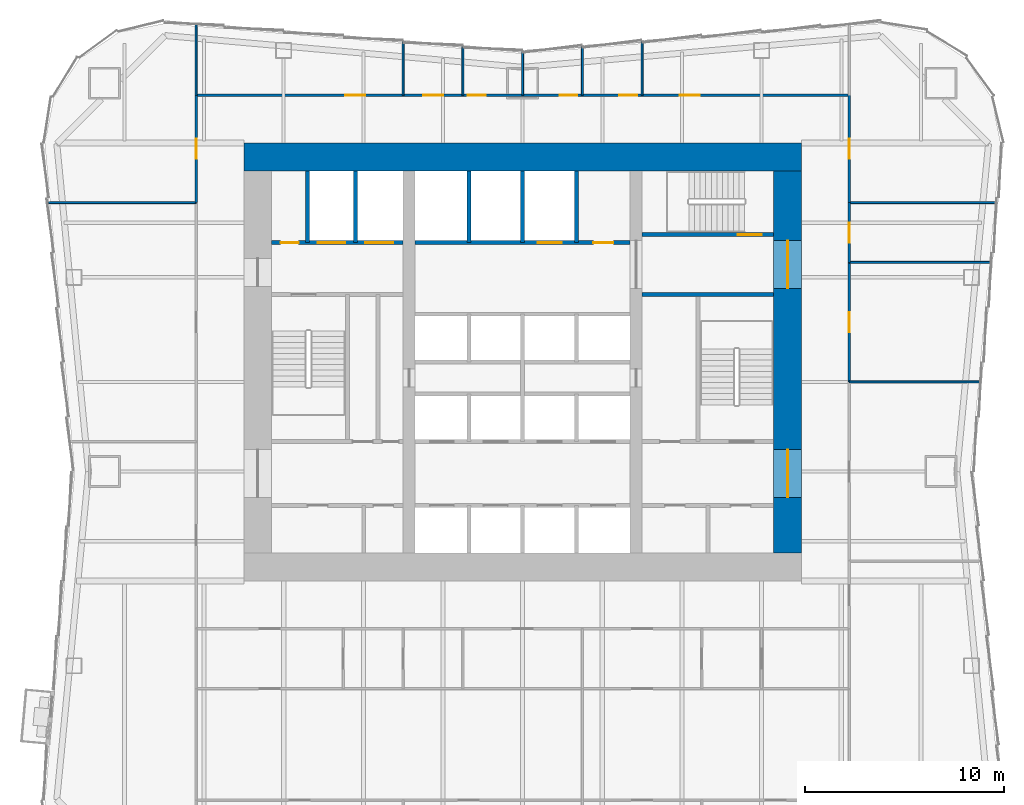
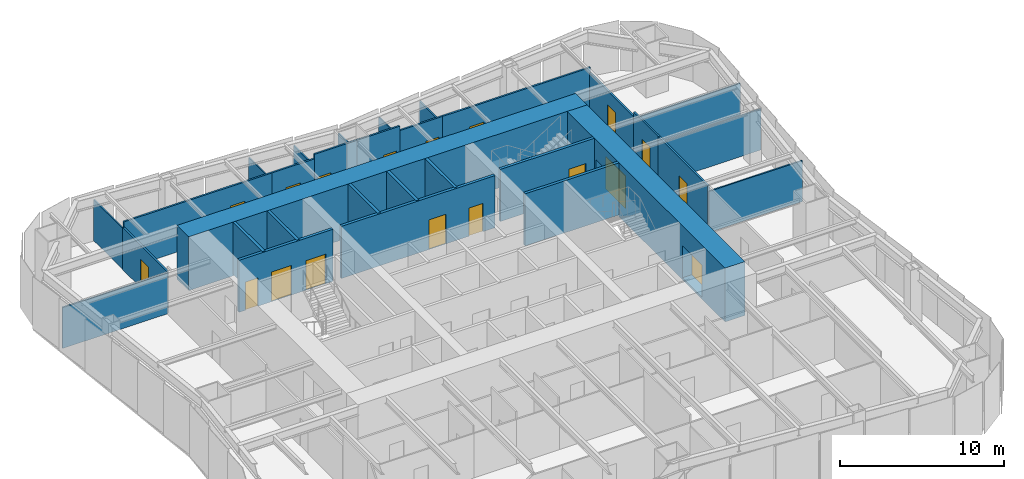
# One storey, part 6 of 9: 31 walls, 18 doors, 18 openings.
"""IFC4 building model written with IfcOpenShell, lengths in metres."""

from ifc_helpers import new_model, si_unit, direction, frame, frame_2d, origin, place, context, subcontext, project, spatial, rectangle, extrude, material, layer, layer_set, type_object, element, fill, save


model = new_model("IFC4")

# Units and contexts
model_context = context("Model", 3, precision=1e-05, world=origin(), true_north=direction((0.0, 1.0)))
body_context = subcontext(model_context, "Body", "Model", "MODEL_VIEW")
ifc_project = project(units=[si_unit("LENGTHUNIT", "METRE"), si_unit("AREAUNIT", "SQUARE_METRE"), si_unit("VOLUMEUNIT", "CUBIC_METRE"), si_unit("PLANEANGLEUNIT", "RADIAN"), si_unit("MASSUNIT", "GRAM", prefix="KILO")], contexts=[model_context])

# Site, building, storey
site_placement = place(None, origin())
site = spatial("IfcSite", under=ifc_project, at=site_placement, CompositionType="ELEMENT")
building_placement = place(site_placement, origin())
building = spatial("IfcBuilding", under=site, at=building_placement, Name="Verdant Reach Tower", CompositionType="ELEMENT")
storey_placement = place(building_placement, frame((0.0, 0.0, 34.0)))
storey = spatial("IfcBuildingStorey", under=building, at=storey_placement, Name="L07", CompositionType="ELEMENT", Elevation=34.0)

# Wall, openings, doors
ifc_material_1 = material(Name="Concrete C40/50", Category="concrete")
ifc_layer_1 = layer(ifc_material_1, 0.199951171875)
ifc_layer_set_1 = layer_set([ifc_layer_1], Name="CO-WALL-SHAFT")
wall_type_1 = type_object("IfcWallType", Name="CO-WALL-SHAFT", PredefinedType="PARTITIONING", material=ifc_layer_set_1)
wall_1_placement = place(storey_placement, frame((-12.60009765625, 34.0, 0.0), z_axis=(0.0, 0.0, 1.0), x_axis=(1.0, 0.0, 0.0)))
wall_1 = element("IfcWall", 1, at=wall_1_placement, inside=storey, type_object=wall_type_1, Name="Lift shaft wall, L07", PredefinedType="PARTITIONING", context=body_context, shape_type="SweptSolid", body=[
    extrude(rectangle(XDim=6.60009765625, YDim=0.199951171875, at=frame_2d((3.300048828125, 0.0))), origin(), (0.0, 0.0, 1.0), 3.8701171875),
])
opening_1_placement = place(wall_1_placement, frame((4.699951171875, 0.0, 0.0)))
opening_1 = element("IfcOpeningElement", 2, at=opening_1_placement, cuts=wall_1, Name="Opening LD-F1", PredefinedType="OPENING", context=body_context, shape_type="SweptSolid", body=[
    extrude(rectangle(XDim=1.39990234375, YDim=2.199951171875, at=frame_2d((0.699951171875, 1.10009765625))), frame((0.0, 0.10986328125, 0.0), z_axis=(0.0, -1.0, 0.0), x_axis=(1.0, 0.0, 0.0)), (0.0, 0.0, 1.0), 0.219970703125),
])
opening_2_placement = place(wall_1_placement, frame((2.300048828125, 0.0, 0.0)))
opening_2 = element("IfcOpeningElement", 3, at=opening_2_placement, cuts=wall_1, Name="Opening LD-F2", PredefinedType="OPENING", context=body_context, shape_type="SweptSolid", body=[
    extrude(rectangle(XDim=1.39990234375, YDim=2.199951171875, at=frame_2d((0.699951171875, 1.10009765625))), frame((0.0, 0.10986328125, 0.0), z_axis=(0.0, -1.0, 0.0), x_axis=(1.0, 0.0, 0.0)), (0.0, 0.0, 1.0), 0.219970703125),
])
opening_3_placement = place(wall_1_placement, frame((0.449951171875, 0.0, 0.0)))
opening_3 = element("IfcOpeningElement", 4, at=opening_3_placement, cuts=wall_1, Name="Opening RD", PredefinedType="OPENING", context=body_context, shape_type="SweptSolid", body=[
    extrude(rectangle(XDim=0.89990234375, YDim=2.10009765625, at=frame_2d((0.449951171875, 1.050048828125))), frame((0.0, 0.10986328125, 0.0), z_axis=(0.0, -1.0, 0.0), x_axis=(1.0, 0.0, 0.0)), (0.0, 0.0, 1.0), 0.219970703125),
])
ifc_material_2 = material(Name="Stainless steel", Category="steel")
door_type_1 = type_object("IfcDoorType", Name="CO-DOOR-LANDING-FF", OperationType="SLIDING_TO_LEFT", PredefinedType="DOOR", material=ifc_material_2)
door_1_placement = place(opening_1_placement, origin())
door_1 = element("IfcDoor", 5, at=door_1_placement, inside=storey, type_object=door_type_1, Name="Landing door F1, L07", OperationType="SLIDING_TO_LEFT", OverallHeight=2.199951171875, OverallWidth=1.39990234375, PredefinedType="DOOR", context=body_context, shape_type="SweptSolid", body=[
    extrude(rectangle(XDim=1.39990234375, YDim=2.199951171875, at=frame_2d((0.699951171875, 1.10009765625))), frame((0.0, 0.02490234375, 0.0), z_axis=(0.0, -1.0, 0.0), x_axis=(1.0, 0.0, 0.0)), (0.0, 0.0, 1.0), 0.050048828125),
])
fill(opening_1, door_1)
door_2_placement = place(opening_2_placement, origin())
door_2 = element("IfcDoor", 6, at=door_2_placement, inside=storey, type_object=door_type_1, Name="Landing door F2, L07", OperationType="SLIDING_TO_LEFT", OverallHeight=2.199951171875, OverallWidth=1.39990234375, PredefinedType="DOOR", context=body_context, shape_type="SweptSolid", body=[
    extrude(rectangle(XDim=1.39990234375, YDim=2.199951171875, at=frame_2d((0.699951171875, 1.10009765625))), frame((0.0, 0.02490234375, 0.0), z_axis=(0.0, -1.0, 0.0), x_axis=(1.0, 0.0, 0.0)), (0.0, 0.0, 1.0), 0.050048828125),
])
fill(opening_2, door_2)
ifc_material_3 = material(Name="Steel", Category="steel")
door_type_2 = type_object("IfcDoorType", Name="CO-DOOR-RISER", OperationType="NOTDEFINED", PredefinedType="DOOR", material=ifc_material_3)
door_3_placement = place(opening_3_placement, origin())
door_3 = element("IfcDoor", 7, at=door_3_placement, inside=storey, type_object=door_type_2, Name="Core room door, L07", OperationType="SINGLE_SWING_RIGHT", OverallHeight=2.10009765625, OverallWidth=0.89990234375, PredefinedType="DOOR", context=body_context, shape_type="SweptSolid", body=[
    extrude(rectangle(XDim=0.89990234375, YDim=2.10009765625, at=frame_2d((0.449951171875, 1.050048828125))), frame((0.0, 0.02490234375, 0.0), z_axis=(0.0, -1.0, 0.0), x_axis=(1.0, 0.0, 0.0)), (0.0, 0.0, 1.0), 0.050048828125),
])
fill(opening_3, door_3)

wall_2_placement = place(storey_placement, frame((-5.39990234375, 34.0, 0.0), z_axis=(0.0, 0.0, 1.0), x_axis=(1.0, 0.0, 0.0)))
wall_2 = element("IfcWall", 8, at=wall_2_placement, inside=storey, type_object=wall_type_1, Name="Lift shaft wall, L07", PredefinedType="PARTITIONING", context=body_context, shape_type="SweptSolid", body=[
    extrude(rectangle(XDim=10.7998046875, YDim=0.199951171875, at=frame_2d((5.39990234375, 0.0))), origin(), (0.0, 0.0, 1.0), 3.8701171875),
])
opening_4_placement = place(wall_2_placement, frame((6.14990234375, 0.0, 0.0)))
opening_4 = element("IfcOpeningElement", 9, at=opening_4_placement, cuts=wall_2, Name="Opening LD-SL1", PredefinedType="OPENING", context=body_context, shape_type="SweptSolid", body=[
    extrude(rectangle(XDim=1.199951171875, YDim=2.199951171875, at=frame_2d((0.60009765625, 1.10009765625))), frame((0.0, 0.10986328125, 0.0), z_axis=(0.0, -1.0, 0.0), x_axis=(1.0, 0.0, 0.0)), (0.0, 0.0, 1.0), 0.219970703125),
])
opening_5_placement = place(wall_2_placement, frame((8.949951171875, 0.0, 0.0)))
opening_5 = element("IfcOpeningElement", 10, at=opening_5_placement, cuts=wall_2, Name="Opening CD", PredefinedType="OPENING", context=body_context, shape_type="SweptSolid", body=[
    extrude(rectangle(XDim=1.0, YDim=2.10009765625, at=frame_2d((0.5, 1.050048828125))), frame((0.0, 0.10986328125, 0.0), z_axis=(0.0, -1.0, 0.0), x_axis=(1.0, 0.0, 0.0)), (0.0, 0.0, 1.0), 0.219970703125),
])
door_type_3 = type_object("IfcDoorType", Name="CO-DOOR-LANDING", OperationType="SLIDING_TO_LEFT", PredefinedType="DOOR", material=ifc_material_2)
door_4_placement = place(opening_4_placement, origin())
door_4 = element("IfcDoor", 11, at=door_4_placement, inside=storey, type_object=door_type_3, Name="Landing door SL1, L07", OperationType="SLIDING_TO_LEFT", OverallHeight=2.199951171875, OverallWidth=1.199951171875, PredefinedType="DOOR", context=body_context, shape_type="SweptSolid", body=[
    extrude(rectangle(XDim=1.199951171875, YDim=2.199951171875, at=frame_2d((0.60009765625, 1.10009765625))), frame((0.0, 0.02490234375, 0.0), z_axis=(0.0, -1.0, 0.0), x_axis=(1.0, 0.0, 0.0)), (0.0, 0.0, 1.0), 0.050048828125),
])
fill(opening_4, door_4)
ifc_material_4 = material(Name="Timber", Category="wood")
door_type_4 = type_object("IfcDoorType", Name="CO-DOOR-ROOM", OperationType="NOTDEFINED", PredefinedType="DOOR", material=ifc_material_4)
door_5_placement = place(opening_5_placement, origin())
door_5 = element("IfcDoor", 12, at=door_5_placement, inside=storey, type_object=door_type_4, Name="Core room door, L07", OperationType="SINGLE_SWING_LEFT", OverallHeight=2.10009765625, OverallWidth=1.0, PredefinedType="DOOR", context=body_context, shape_type="SweptSolid", body=[
    extrude(rectangle(XDim=1.0, YDim=2.10009765625, at=frame_2d((0.5, 1.050048828125))), frame((0.0, 0.02490234375, 0.0), z_axis=(0.0, -1.0, 0.0), x_axis=(1.0, 0.0, 0.0)), (0.0, 0.0, 1.0), 0.050048828125),
])
fill(opening_5, door_5)

# Walls
for number, where, z_axis, x_axis, name in (
    (13, (-10.800048828125, 34.0, 0.0), (0.0, 0.0, 1.0), (0.0, 1.0, 0.0), "Lift shaft wall, L07"),
    (14, (-8.39990234375, 34.0, 0.0), (0.0, 0.0, 1.0), (0.0, 1.0, 0.0), "Lift shaft wall, L07"),
    (15, (-2.699951171875, 34.0, 0.0), (0.0, 0.0, 1.0), (0.0, 1.0, 0.0), "Lift shaft wall, L07"),
    (16, (0.0, 34.0, 0.0), (0.0, 0.0, 1.0), (0.0, 1.0, 0.0), "Lift shaft wall, L07"),
    (17, (2.699951171875, 34.0, 0.0), (0.0, 0.0, 1.0), (0.0, 1.0, 0.0), "Lift shaft wall, L07"),
):
    element("IfcWall", number, at=place(storey_placement, frame(where, z_axis=z_axis, x_axis=x_axis)), inside=storey, type_object=wall_type_1, Name=name, PredefinedType="PARTITIONING", context=body_context, shape_type="SweptSolid", body=[
        extrude(rectangle(XDim=3.60009765625, YDim=0.199951171875, at=frame_2d((1.800048828125, 0.0))), origin(), (0.0, 0.0, 1.0), 3.8701171875),
    ])
ifc_layer_2 = layer(ifc_material_1, 0.199951171875)
ifc_layer_set_2 = layer_set([ifc_layer_2], Name="CO-WALL-STAIR")
wall_type_2 = type_object("IfcWallType", Name="CO-WALL-STAIR", PredefinedType="PARTITIONING", material=ifc_layer_set_2)
wall_3_placement = place(storey_placement, frame((6.0, 31.39990234375, 0.0), z_axis=(0.0, 0.0, 1.0), x_axis=(1.0, 0.0, 0.0)))
element("IfcWall", 18, at=wall_3_placement, inside=storey, type_object=wall_type_2, Name="Stair enclosure wall, L07", PredefinedType="PARTITIONING", context=body_context, shape_type="SweptSolid", body=[
    extrude(rectangle(XDim=6.60009765625, YDim=0.199951171875, at=frame_2d((3.300048828125, 0.0))), origin(), (0.0, 0.0, 1.0), 3.8701171875),
])

# Wall, opening, door
wall_4_placement = place(storey_placement, frame((6.0, 34.39990234375, 0.0), z_axis=(0.0, 0.0, 1.0), x_axis=(1.0, 0.0, 0.0)))
wall_4 = element("IfcWall", 19, at=wall_4_placement, inside=storey, type_object=wall_type_2, Name="Stair enclosure wall, L07", PredefinedType="PARTITIONING", context=body_context, shape_type="SweptSolid", body=[
    extrude(rectangle(XDim=6.60009765625, YDim=0.199951171875, at=frame_2d((3.300048828125, 0.0))), origin(), (0.0, 0.0, 1.0), 3.8701171875),
])
opening_6_placement = place(wall_4_placement, frame((4.800048828125, 0.0, 0.0)))
opening_6 = element("IfcOpeningElement", 20, at=opening_6_placement, cuts=wall_4, Name="Opening SD", PredefinedType="OPENING", context=body_context, shape_type="SweptSolid", body=[
    extrude(rectangle(XDim=1.199951171875, YDim=2.199951171875, at=frame_2d((0.60009765625, 1.10009765625))), frame((0.0, 0.10986328125, 0.0), z_axis=(0.0, -1.0, 0.0), x_axis=(1.0, 0.0, 0.0)), (0.0, 0.0, 1.0), 0.219970703125),
])
door_type_5 = type_object("IfcDoorType", Name="CO-DOOR-STAIR", OperationType="NOTDEFINED", PredefinedType="DOOR", material=ifc_material_3)
door_6_placement = place(opening_6_placement, origin())
door_6 = element("IfcDoor", 21, at=door_6_placement, inside=storey, type_object=door_type_5, Name="Stair door, L07", OperationType="SINGLE_SWING_RIGHT", OverallHeight=2.199951171875, OverallWidth=1.199951171875, PredefinedType="DOOR", context=body_context, shape_type="SweptSolid", body=[
    extrude(rectangle(XDim=1.199951171875, YDim=2.199951171875, at=frame_2d((0.60009765625, 1.10009765625))), frame((0.0, 0.02490234375, 0.0), z_axis=(0.0, -1.0, 0.0), x_axis=(1.0, 0.0, 0.0)), (0.0, 0.0, 1.0), 0.050048828125),
])
fill(opening_6, door_6)

# Walls
ifc_material_5 = material(Name="Gypsum board on steel studs", Category="steel")
ifc_layer_3 = layer(ifc_material_5, 0.10009765625)
ifc_layer_set_3 = layer_set([ifc_layer_3], Name="FL-W1 Partition 100")
wall_type_3 = type_object("IfcWallType", Name="FL-W1 Partition 100", PredefinedType="PARTITIONING", material=ifc_layer_set_3)
wall_5_placement = place(storey_placement, frame((-6.0, 41.39990234375, 0.0), z_axis=(0.0, 0.0, 1.0), x_axis=(0.0, 1.0, 0.0)))
element("IfcWall", 22, at=wall_5_placement, inside=storey, type_object=wall_type_3, Name="Partition 07.49", PredefinedType="PARTITIONING", context=body_context, shape_type="SweptSolid", body=[
    extrude(rectangle(XDim=2.68017578125, YDim=0.10009765625, at=frame_2d((1.340087890625, 0.0))), origin(), (0.0, 0.0, 1.0), 3.0400390625),
])
wall_6_placement = place(storey_placement, frame((-16.39990234375, 44.94677734375, 0.0), z_axis=(0.0, 0.0, 1.0), x_axis=(0.0, -1.0, 0.0)))
element("IfcWall", 23, at=wall_6_placement, inside=storey, type_object=wall_type_3, Name="Partition 07.50", PredefinedType="PARTITIONING", context=body_context, shape_type="SweptSolid", body=[
    extrude(rectangle(XDim=3.55078125, YDim=0.10009765625, at=frame_2d((1.775390625, 0.0))), origin(), (0.0, 0.0, 1.0), 3.0400390625),
])
wall_7_placement = place(storey_placement, frame((-3.0, 41.39990234375, 0.0), z_axis=(0.0, 0.0, 1.0), x_axis=(0.0, 1.0, 0.0)))
element("IfcWall", 24, at=wall_7_placement, inside=storey, type_object=wall_type_3, Name="Partition 07.51", PredefinedType="PARTITIONING", context=body_context, shape_type="SweptSolid", body=[
    extrude(rectangle(XDim=2.43017578125, YDim=0.10009765625, at=frame_2d((1.215087890625, 0.0))), origin(), (0.0, 0.0, 1.0), 3.0400390625),
])
wall_8_placement = place(storey_placement, frame((0.0, 41.39990234375, 0.0), z_axis=(0.0, 0.0, 1.0), x_axis=(0.0, 1.0, 0.0)))
element("IfcWall", 25, at=wall_8_placement, inside=storey, type_object=wall_type_3, Name="Partition 07.52", PredefinedType="PARTITIONING", context=body_context, shape_type="SweptSolid", body=[
    extrude(rectangle(XDim=2.18017578125, YDim=0.10009765625, at=frame_2d((1.090087890625, 0.0))), origin(), (0.0, 0.0, 1.0), 3.0400390625),
])
wall_9_placement = place(storey_placement, frame((3.0, 41.39990234375, 0.0), z_axis=(0.0, 0.0, 1.0), x_axis=(0.0, 1.0, 0.0)))
element("IfcWall", 26, at=wall_9_placement, inside=storey, type_object=wall_type_3, Name="Partition 07.53", PredefinedType="PARTITIONING", context=body_context, shape_type="SweptSolid", body=[
    extrude(rectangle(XDim=2.43017578125, YDim=0.10009765625, at=frame_2d((1.215087890625, 0.0))), origin(), (0.0, 0.0, 1.0), 3.0400390625),
])
wall_10_placement = place(storey_placement, frame((6.0, 41.39990234375, 0.0), z_axis=(0.0, 0.0, 1.0), x_axis=(0.0, 1.0, 0.0)))
element("IfcWall", 27, at=wall_10_placement, inside=storey, type_object=wall_type_3, Name="Partition 07.54", PredefinedType="PARTITIONING", context=body_context, shape_type="SweptSolid", body=[
    extrude(rectangle(XDim=2.68017578125, YDim=0.10009765625, at=frame_2d((1.340087890625, 0.0))), origin(), (0.0, 0.0, 1.0), 3.0400390625),
])
wall_11_placement = place(storey_placement, frame((-16.39990234375, 36.0, 0.0), z_axis=(0.0, 0.0, 1.0), x_axis=(-1.0, 0.0, 0.0)))
element("IfcWall", 28, at=wall_11_placement, inside=storey, type_object=wall_type_3, Name="Partition 07.57", PredefinedType="PARTITIONING", context=body_context, shape_type="SweptSolid", body=[
    extrude(rectangle(XDim=7.407470703125, YDim=0.10009765625, at=frame_2d((3.70361328125, 0.0))), origin(), (0.0, 0.0, 1.0), 3.0400390625),
])
wall_12_placement = place(storey_placement, frame((22.989013671875, 27.0, 0.0), z_axis=(0.0, 0.0, 1.0), x_axis=(-1.0, 0.0, 0.0)))
element("IfcWall", 29, at=wall_12_placement, inside=storey, type_object=wall_type_3, Name="Partition 07.59", PredefinedType="PARTITIONING", context=body_context, shape_type="SweptSolid", body=[
    extrude(rectangle(XDim=6.589111328125, YDim=0.10009765625, at=frame_2d((3.29443359375, 0.0))), origin(), (0.0, 0.0, 1.0), 3.0400390625),
])
wall_13_placement = place(storey_placement, frame((23.534423828125, 33.0, 0.0), z_axis=(0.0, 0.0, 1.0), x_axis=(-1.0, 0.0, 0.0)))
element("IfcWall", 30, at=wall_13_placement, inside=storey, type_object=wall_type_3, Name="Partition 07.60", PredefinedType="PARTITIONING", context=body_context, shape_type="SweptSolid", body=[
    extrude(rectangle(XDim=7.134521484375, YDim=0.10009765625, at=frame_2d((3.5673828125, 0.0))), origin(), (0.0, 0.0, 1.0), 3.0400390625),
])
wall_14_placement = place(storey_placement, frame((23.807373046875, 36.0, 0.0), z_axis=(0.0, 0.0, 1.0), x_axis=(-1.0, 0.0, 0.0)))
element("IfcWall", 31, at=wall_14_placement, inside=storey, type_object=wall_type_3, Name="Partition 07.61", PredefinedType="PARTITIONING", context=body_context, shape_type="SweptSolid", body=[
    extrude(rectangle(XDim=7.407470703125, YDim=0.10009765625, at=frame_2d((3.70361328125, 0.0))), origin(), (0.0, 0.0, 1.0), 3.0400390625),
])

# Wall, opening, door
ifc_material_6 = material(Name="Gypsum board on steel studs, fire rated", Category="steel")
ifc_layer_4 = layer(ifc_material_6, 0.125)
ifc_layer_set_4 = layer_set([ifc_layer_4], Name="FL-W2 Corridor wall 125")
wall_type_4 = type_object("IfcWallType", Name="FL-W2 Corridor wall 125", PredefinedType="PARTITIONING", material=ifc_layer_set_4)
wall_15_placement = place(storey_placement, frame((-16.39990234375, 41.39990234375, 0.0), z_axis=(0.0, 0.0, 1.0), x_axis=(1.0, 0.0, 0.0)))
wall_15 = element("IfcWall", 32, at=wall_15_placement, inside=storey, type_object=wall_type_4, Name="Partition 07.08", PredefinedType="PARTITIONING", context=body_context, shape_type="SweptSolid", body=[
    extrude(rectangle(XDim=10.39990234375, YDim=0.125, at=frame_2d((5.199951171875, 0.0))), origin(), (0.0, 0.0, 1.0), 3.5400390625),
])
opening_7_placement = place(wall_15_placement, frame((7.5, 0.0, 0.0)))
opening_7 = element("IfcOpeningElement", 33, at=opening_7_placement, cuts=wall_15, Name="Opening D2", PredefinedType="OPENING", context=body_context, shape_type="SweptSolid", body=[
    extrude(rectangle(XDim=1.0, YDim=2.10009765625, at=frame_2d((0.5, 1.050048828125))), frame((0.0, 0.072509765625, 0.0), z_axis=(0.0, -1.0, 0.0), x_axis=(1.0, 0.0, 0.0)), (0.0, 0.0, 1.0), 0.14501953125),
])
ifc_material_7 = material(Name="Timber door leaf, fire rated", Category="wood")
door_type_6 = type_object("IfcDoorType", Name="FL-D2 Entrance door 1000x2100 FD30", OperationType="NOTDEFINED", PredefinedType="DOOR", material=ifc_material_7)
door_7_placement = place(opening_7_placement, origin())
door_7 = element("IfcDoor", 34, at=door_7_placement, inside=storey, type_object=door_type_6, Name="Door 07-004", OperationType="SINGLE_SWING_RIGHT", OverallHeight=2.10009765625, OverallWidth=1.0, PredefinedType="DOOR", context=body_context, shape_type="SweptSolid", body=[
    extrude(rectangle(XDim=1.0, YDim=2.10009765625, at=frame_2d((0.5, 1.050048828125))), frame((0.0, 0.02490234375, 0.0), z_axis=(0.0, -1.0, 0.0), x_axis=(1.0, 0.0, 0.0)), (0.0, 0.0, 1.0), 0.050048828125),
])
fill(opening_7, door_7)

wall_16_placement = place(storey_placement, frame((-6.0, 41.39990234375, 0.0), z_axis=(0.0, 0.0, 1.0), x_axis=(1.0, 0.0, 0.0)))
wall_16 = element("IfcWall", 35, at=wall_16_placement, inside=storey, type_object=wall_type_4, Name="Partition 07.09", PredefinedType="PARTITIONING", context=body_context, shape_type="SweptSolid", body=[
    extrude(rectangle(XDim=3.0, YDim=0.125, at=frame_2d((1.5, 0.0))), origin(), (0.0, 0.0, 1.0), 3.5400390625),
])
opening_8_placement = place(wall_16_placement, frame((1.0, 0.0, 0.0)))
opening_8 = element("IfcOpeningElement", 36, at=opening_8_placement, cuts=wall_16, Name="Opening D2", PredefinedType="OPENING", context=body_context, shape_type="SweptSolid", body=[
    extrude(rectangle(XDim=1.0, YDim=2.10009765625, at=frame_2d((0.5, 1.050048828125))), frame((0.0, 0.072509765625, 0.0), z_axis=(0.0, -1.0, 0.0), x_axis=(1.0, 0.0, 0.0)), (0.0, 0.0, 1.0), 0.14501953125),
])
door_8_placement = place(opening_8_placement, origin())
door_8 = element("IfcDoor", 37, at=door_8_placement, inside=storey, type_object=door_type_6, Name="Door 07-005", OperationType="SINGLE_SWING_LEFT", OverallHeight=2.10009765625, OverallWidth=1.0, PredefinedType="DOOR", context=body_context, shape_type="SweptSolid", body=[
    extrude(rectangle(XDim=1.0, YDim=2.10009765625, at=frame_2d((0.5, 1.050048828125))), frame((0.0, 0.02490234375, 0.0), z_axis=(0.0, -1.0, 0.0), x_axis=(1.0, 0.0, 0.0)), (0.0, 0.0, 1.0), 0.050048828125),
])
fill(opening_8, door_8)

wall_17_placement = place(storey_placement, frame((-3.0, 41.39990234375, 0.0), z_axis=(0.0, 0.0, 1.0), x_axis=(1.0, 0.0, 0.0)))
wall_17 = element("IfcWall", 38, at=wall_17_placement, inside=storey, type_object=wall_type_4, Name="Partition 07.10", PredefinedType="PARTITIONING", context=body_context, shape_type="SweptSolid", body=[
    extrude(rectangle(XDim=3.0, YDim=0.125, at=frame_2d((1.5, 0.0))), origin(), (0.0, 0.0, 1.0), 3.8701171875),
])
opening_9_placement = place(wall_17_placement, frame((0.25, 0.0, 0.0)))
opening_9 = element("IfcOpeningElement", 39, at=opening_9_placement, cuts=wall_17, Name="Opening D1", PredefinedType="OPENING", context=body_context, shape_type="SweptSolid", body=[
    extrude(rectangle(XDim=0.89990234375, YDim=2.10009765625, at=frame_2d((0.449951171875, 1.050048828125))), frame((0.0, 0.072509765625, 0.0), z_axis=(0.0, -1.0, 0.0), x_axis=(1.0, 0.0, 0.0)), (0.0, 0.0, 1.0), 0.14501953125),
])
ifc_material_8 = material(Name="Painted timber door leaf", Category="wood")
door_type_7 = type_object("IfcDoorType", Name="FL-D1 Door 900x2100", OperationType="NOTDEFINED", PredefinedType="DOOR", material=ifc_material_8)
door_9_placement = place(opening_9_placement, origin())
door_9 = element("IfcDoor", 40, at=door_9_placement, inside=storey, type_object=door_type_7, Name="Door 07-006", OperationType="SINGLE_SWING_LEFT", OverallHeight=2.10009765625, OverallWidth=0.89990234375, PredefinedType="DOOR", context=body_context, shape_type="SweptSolid", body=[
    extrude(rectangle(XDim=0.89990234375, YDim=2.10009765625, at=frame_2d((0.449951171875, 1.050048828125))), frame((0.0, 0.02490234375, 0.0), z_axis=(0.0, -1.0, 0.0), x_axis=(1.0, 0.0, 0.0)), (0.0, 0.0, 1.0), 0.050048828125),
])
fill(opening_9, door_9)

wall_18_placement = place(storey_placement, frame((0.0, 41.39990234375, 0.0), z_axis=(0.0, 0.0, 1.0), x_axis=(1.0, 0.0, 0.0)))
wall_18 = element("IfcWall", 41, at=wall_18_placement, inside=storey, type_object=wall_type_4, Name="Partition 07.11", PredefinedType="PARTITIONING", context=body_context, shape_type="SweptSolid", body=[
    extrude(rectangle(XDim=3.0, YDim=0.125, at=frame_2d((1.5, 0.0))), origin(), (0.0, 0.0, 1.0), 3.8701171875),
])
opening_10_placement = place(wall_18_placement, frame((1.85009765625, 0.0, 0.0)))
opening_10 = element("IfcOpeningElement", 42, at=opening_10_placement, cuts=wall_18, Name="Opening D1", PredefinedType="OPENING", context=body_context, shape_type="SweptSolid", body=[
    extrude(rectangle(XDim=0.89990234375, YDim=2.10009765625, at=frame_2d((0.449951171875, 1.050048828125))), frame((0.0, 0.072509765625, 0.0), z_axis=(0.0, -1.0, 0.0), x_axis=(1.0, 0.0, 0.0)), (0.0, 0.0, 1.0), 0.14501953125),
])
door_10_placement = place(opening_10_placement, origin())
door_10 = element("IfcDoor", 43, at=door_10_placement, inside=storey, type_object=door_type_7, Name="Door 07-007", OperationType="SINGLE_SWING_RIGHT", OverallHeight=2.10009765625, OverallWidth=0.89990234375, PredefinedType="DOOR", context=body_context, shape_type="SweptSolid", body=[
    extrude(rectangle(XDim=0.89990234375, YDim=2.10009765625, at=frame_2d((0.449951171875, 1.050048828125))), frame((0.0, 0.02490234375, 0.0), z_axis=(0.0, -1.0, 0.0), x_axis=(1.0, 0.0, 0.0)), (0.0, 0.0, 1.0), 0.050048828125),
])
fill(opening_10, door_10)

wall_19_placement = place(storey_placement, frame((3.0, 41.39990234375, 0.0), z_axis=(0.0, 0.0, 1.0), x_axis=(1.0, 0.0, 0.0)))
wall_19 = element("IfcWall", 44, at=wall_19_placement, inside=storey, type_object=wall_type_4, Name="Partition 07.12", PredefinedType="PARTITIONING", context=body_context, shape_type="SweptSolid", body=[
    extrude(rectangle(XDim=3.0, YDim=0.125, at=frame_2d((1.5, 0.0))), origin(), (0.0, 0.0, 1.0), 3.5400390625),
])
opening_11_placement = place(wall_19_placement, frame((1.85009765625, 0.0, 0.0)))
opening_11 = element("IfcOpeningElement", 45, at=opening_11_placement, cuts=wall_19, Name="Opening D1", PredefinedType="OPENING", context=body_context, shape_type="SweptSolid", body=[
    extrude(rectangle(XDim=0.89990234375, YDim=2.10009765625, at=frame_2d((0.449951171875, 1.050048828125))), frame((0.0, 0.072509765625, 0.0), z_axis=(0.0, -1.0, 0.0), x_axis=(1.0, 0.0, 0.0)), (0.0, 0.0, 1.0), 0.14501953125),
])
door_11_placement = place(opening_11_placement, origin())
door_11 = element("IfcDoor", 46, at=door_11_placement, inside=storey, type_object=door_type_7, Name="Door 07-008", OperationType="SINGLE_SWING_RIGHT", OverallHeight=2.10009765625, OverallWidth=0.89990234375, PredefinedType="DOOR", context=body_context, shape_type="SweptSolid", body=[
    extrude(rectangle(XDim=0.89990234375, YDim=2.10009765625, at=frame_2d((0.449951171875, 1.050048828125))), frame((0.0, 0.02490234375, 0.0), z_axis=(0.0, -1.0, 0.0), x_axis=(1.0, 0.0, 0.0)), (0.0, 0.0, 1.0), 0.050048828125),
])
fill(opening_11, door_11)

wall_20_placement = place(storey_placement, frame((6.0, 41.39990234375, 0.0), z_axis=(0.0, 0.0, 1.0), x_axis=(1.0, 0.0, 0.0)))
wall_20 = element("IfcWall", 47, at=wall_20_placement, inside=storey, type_object=wall_type_4, Name="Partition 07.13", PredefinedType="PARTITIONING", context=body_context, shape_type="SweptSolid", body=[
    extrude(rectangle(XDim=10.39990234375, YDim=0.125, at=frame_2d((5.199951171875, 0.0))), origin(), (0.0, 0.0, 1.0), 3.5400390625),
])
opening_12_placement = place(wall_20_placement, frame((1.89990234375, 0.0, 0.0)))
opening_12 = element("IfcOpeningElement", 48, at=opening_12_placement, cuts=wall_20, Name="Opening D2", PredefinedType="OPENING", context=body_context, shape_type="SweptSolid", body=[
    extrude(rectangle(XDim=1.0, YDim=2.10009765625, at=frame_2d((0.5, 1.050048828125))), frame((0.0, 0.072509765625, 0.0), z_axis=(0.0, -1.0, 0.0), x_axis=(1.0, 0.0, 0.0)), (0.0, 0.0, 1.0), 0.14501953125),
])
door_12_placement = place(opening_12_placement, origin())
door_12 = element("IfcDoor", 49, at=door_12_placement, inside=storey, type_object=door_type_6, Name="Door 07-009", OperationType="SINGLE_SWING_LEFT", OverallHeight=2.10009765625, OverallWidth=1.0, PredefinedType="DOOR", context=body_context, shape_type="SweptSolid", body=[
    extrude(rectangle(XDim=1.0, YDim=2.10009765625, at=frame_2d((0.5, 1.050048828125))), frame((0.0, 0.02490234375, 0.0), z_axis=(0.0, -1.0, 0.0), x_axis=(1.0, 0.0, 0.0)), (0.0, 0.0, 1.0), 0.050048828125),
])
fill(opening_12, door_12)

wall_21_placement = place(storey_placement, frame((-16.39990234375, 36.0, 0.0), z_axis=(0.0, 0.0, 1.0), x_axis=(0.0, 1.0, 0.0)))
wall_21 = element("IfcWall", 50, at=wall_21_placement, inside=storey, type_object=wall_type_4, Name="Partition 07.16", PredefinedType="PARTITIONING", context=body_context, shape_type="SweptSolid", body=[
    extrude(rectangle(XDim=5.404052734375, YDim=0.125, at=frame_2d((2.7021484375, 0.0))), origin(), (0.0, 0.0, 1.0), 3.139892578125),
])
opening_13_placement = place(wall_21_placement, frame((2.201904296875, 0.0, 0.0)))
opening_13 = element("IfcOpeningElement", 51, at=opening_13_placement, cuts=wall_21, Name="Opening D2", PredefinedType="OPENING", context=body_context, shape_type="SweptSolid", body=[
    extrude(rectangle(XDim=1.0, YDim=2.10009765625, at=frame_2d((0.5, 1.050048828125))), frame((0.0, 0.072509765625, 0.0), z_axis=(0.0, -1.0, 0.0), x_axis=(1.0, 0.0, 0.0)), (0.0, 0.0, 1.0), 0.14501953125),
])
door_13_placement = place(opening_13_placement, origin())
door_13 = element("IfcDoor", 52, at=door_13_placement, inside=storey, type_object=door_type_6, Name="Door 07-012", OperationType="SINGLE_SWING_RIGHT", OverallHeight=2.10009765625, OverallWidth=1.0, PredefinedType="DOOR", context=body_context, shape_type="SweptSolid", body=[
    extrude(rectangle(XDim=1.0, YDim=2.10009765625, at=frame_2d((0.5, 1.050048828125))), frame((0.0, 0.02490234375, 0.0), z_axis=(0.0, -1.0, 0.0), x_axis=(1.0, 0.0, 0.0)), (0.0, 0.0, 1.0), 0.050048828125),
])
fill(opening_13, door_13)

wall_22_placement = place(storey_placement, frame((16.39990234375, 33.0, 0.0), z_axis=(0.0, 0.0, 1.0), x_axis=(0.0, -1.0, 0.0)))
wall_22 = element("IfcWall", 53, at=wall_22_placement, inside=storey, type_object=wall_type_4, Name="Partition 07.19", PredefinedType="PARTITIONING", context=body_context, shape_type="SweptSolid", body=[
    extrude(rectangle(XDim=6.0, YDim=0.125, at=frame_2d((3.0, 0.0))), origin(), (0.0, 0.0, 1.0), 3.47998046875),
])
opening_14_placement = place(wall_22_placement, frame((2.5, 0.0, 0.0)))
opening_14 = element("IfcOpeningElement", 54, at=opening_14_placement, cuts=wall_22, Name="Opening D2", PredefinedType="OPENING", context=body_context, shape_type="SweptSolid", body=[
    extrude(rectangle(XDim=1.0, YDim=2.10009765625, at=frame_2d((0.5, 1.050048828125))), frame((0.0, 0.072509765625, 0.0), z_axis=(0.0, -1.0, 0.0), x_axis=(1.0, 0.0, 0.0)), (0.0, 0.0, 1.0), 0.14501953125),
])
door_14_placement = place(opening_14_placement, origin())
door_14 = element("IfcDoor", 55, at=door_14_placement, inside=storey, type_object=door_type_6, Name="Door 07-015", OperationType="SINGLE_SWING_LEFT", OverallHeight=2.10009765625, OverallWidth=1.0, PredefinedType="DOOR", context=body_context, shape_type="SweptSolid", body=[
    extrude(rectangle(XDim=1.0, YDim=2.10009765625, at=frame_2d((0.5, 1.050048828125))), frame((0.0, 0.02490234375, 0.0), z_axis=(0.0, -1.0, 0.0), x_axis=(1.0, 0.0, 0.0)), (0.0, 0.0, 1.0), 0.050048828125),
])
fill(opening_14, door_14)

wall_23_placement = place(storey_placement, frame((16.39990234375, 36.0, 0.0), z_axis=(0.0, 0.0, 1.0), x_axis=(0.0, -1.0, 0.0)))
wall_23 = element("IfcWall", 56, at=wall_23_placement, inside=storey, type_object=wall_type_4, Name="Partition 07.20", PredefinedType="PARTITIONING", context=body_context, shape_type="SweptSolid", body=[
    extrude(rectangle(XDim=3.0, YDim=0.125, at=frame_2d((1.5, 0.0))), origin(), (0.0, 0.0, 1.0), 3.47998046875),
])
opening_15_placement = place(wall_23_placement, frame((1.0, 0.0, 0.0)))
opening_15 = element("IfcOpeningElement", 57, at=opening_15_placement, cuts=wall_23, Name="Opening D2", PredefinedType="OPENING", context=body_context, shape_type="SweptSolid", body=[
    extrude(rectangle(XDim=1.0, YDim=2.10009765625, at=frame_2d((0.5, 1.050048828125))), frame((0.0, 0.072509765625, 0.0), z_axis=(0.0, -1.0, 0.0), x_axis=(1.0, 0.0, 0.0)), (0.0, 0.0, 1.0), 0.14501953125),
])
door_15_placement = place(opening_15_placement, origin())
door_15 = element("IfcDoor", 58, at=door_15_placement, inside=storey, type_object=door_type_6, Name="Door 07-016", OperationType="SINGLE_SWING_RIGHT", OverallHeight=2.10009765625, OverallWidth=1.0, PredefinedType="DOOR", context=body_context, shape_type="SweptSolid", body=[
    extrude(rectangle(XDim=1.0, YDim=2.10009765625, at=frame_2d((0.5, 1.050048828125))), frame((0.0, 0.02490234375, 0.0), z_axis=(0.0, -1.0, 0.0), x_axis=(1.0, 0.0, 0.0)), (0.0, 0.0, 1.0), 0.050048828125),
])
fill(opening_15, door_15)

wall_24_placement = place(storey_placement, frame((16.39990234375, 41.404052734375, 0.0), z_axis=(0.0, 0.0, 1.0), x_axis=(0.0, -1.0, 0.0)))
wall_24 = element("IfcWall", 59, at=wall_24_placement, inside=storey, type_object=wall_type_4, Name="Partition 07.21", PredefinedType="PARTITIONING", context=body_context, shape_type="SweptSolid", body=[
    extrude(rectangle(XDim=5.404052734375, YDim=0.125, at=frame_2d((2.7021484375, 0.0))), origin(), (0.0, 0.0, 1.0), 3.139892578125),
])
opening_16_placement = place(wall_24_placement, frame((2.201904296875, 0.0, 0.0)))
opening_16 = element("IfcOpeningElement", 60, at=opening_16_placement, cuts=wall_24, Name="Opening D2", PredefinedType="OPENING", context=body_context, shape_type="SweptSolid", body=[
    extrude(rectangle(XDim=1.0, YDim=2.10009765625, at=frame_2d((0.5, 1.050048828125))), frame((0.0, 0.072509765625, 0.0), z_axis=(0.0, -1.0, 0.0), x_axis=(1.0, 0.0, 0.0)), (0.0, 0.0, 1.0), 0.14501953125),
])
door_16_placement = place(opening_16_placement, origin())
door_16 = element("IfcDoor", 61, at=door_16_placement, inside=storey, type_object=door_type_6, Name="Door 07-017", OperationType="SINGLE_SWING_LEFT", OverallHeight=2.10009765625, OverallWidth=1.0, PredefinedType="DOOR", context=body_context, shape_type="SweptSolid", body=[
    extrude(rectangle(XDim=1.0, YDim=2.10009765625, at=frame_2d((0.5, 1.050048828125))), frame((0.0, 0.02490234375, 0.0), z_axis=(0.0, -1.0, 0.0), x_axis=(1.0, 0.0, 0.0)), (0.0, 0.0, 1.0), 0.050048828125),
])
fill(opening_16, door_16)

# Wall
ifc_material_9 = material(Name="Concrete C70/85", Category="concrete")
ifc_layer_5 = layer(ifc_material_9, 1.39990234375)
ifc_layer_set_5 = layer_set([ifc_layer_5], Name="ST-CORE-WALL-1400")
wall_type_5 = type_object("IfcWallType", Name="ST-CORE-WALL-1400", PredefinedType="SHEAR", material=ifc_layer_set_5)
wall_25_placement = place(storey_placement, frame((-14.0, 38.300048828125, -0.1298828125), z_axis=(0.0, 0.0, 1.0), x_axis=(1.0, 0.0, 0.0)))
element("IfcWall", 62, at=wall_25_placement, inside=storey, type_object=wall_type_5, Name="Core wall N, L07", PredefinedType="SHEAR", context=body_context, shape_type="SweptSolid", body=[
    extrude(rectangle(XDim=28.0, YDim=1.39990234375, at=frame_2d((14.0, 0.0))), origin(), (0.0, 0.0, 1.0), 4.0),
])

# Wall, openings, doors
wall_26_placement = place(storey_placement, frame((13.300048828125, 18.39990234375, -0.1298828125), z_axis=(0.0, 0.0, 1.0), x_axis=(0.0, 1.0, 0.0)))
wall_26 = element("IfcWall", 63, at=wall_26_placement, inside=storey, type_object=wall_type_5, Name="Core wall E, L07", PredefinedType="SHEAR", context=body_context, shape_type="SweptSolid", body=[
    extrude(rectangle(XDim=19.2001953125, YDim=1.39990234375, at=frame_2d((9.60009765625, 0.0))), origin(), (0.0, 0.0, 1.0), 4.0),
])
opening_17_placement = place(wall_26_placement, frame((2.800048828125, 0.0, 0.1298828125)))
opening_17 = element("IfcOpeningElement", 64, at=opening_17_placement, cuts=wall_26, Name="Opening LB", PredefinedType="OPENING", context=body_context, shape_type="SweptSolid", body=[
    extrude(rectangle(XDim=2.39990234375, YDim=2.39990234375, at=frame_2d((1.199951171875, 1.199951171875))), frame((0.0, 0.7099609375, 0.0), z_axis=(0.0, -1.0, 0.0), x_axis=(1.0, 0.0, 0.0)), (0.0, 0.0, 1.0), 1.419921875),
])
opening_18_placement = place(wall_26_placement, frame((13.300048828125, 0.0, 0.1298828125)))
opening_18 = element("IfcOpeningElement", 65, at=opening_18_placement, cuts=wall_26, Name="Opening LB", PredefinedType="OPENING", context=body_context, shape_type="SweptSolid", body=[
    extrude(rectangle(XDim=2.39990234375, YDim=2.39990234375, at=frame_2d((1.199951171875, 1.199951171875))), frame((0.0, 0.7099609375, 0.0), z_axis=(0.0, -1.0, 0.0), x_axis=(1.0, 0.0, 0.0)), (0.0, 0.0, 1.0), 1.419921875),
])
ifc_material_10 = material(Name="Glass and steel", Category="steel")
door_type_8 = type_object("IfcDoorType", Name="CO-DOOR-LOBBY", OperationType="DOUBLE_DOOR_SINGLE_SWING", PredefinedType="DOOR", material=ifc_material_10)
door_17_placement = place(opening_17_placement, origin())
door_17 = element("IfcDoor", 66, at=door_17_placement, inside=storey, type_object=door_type_8, Name="Core entrance door, L07", OperationType="DOUBLE_DOOR_SINGLE_SWING", OverallHeight=2.39990234375, OverallWidth=2.39990234375, PredefinedType="DOOR", context=body_context, shape_type="SweptSolid", body=[
    extrude(rectangle(XDim=2.39990234375, YDim=2.39990234375, at=frame_2d((1.199951171875, 1.199951171875))), frame((0.0, 0.02490234375, 0.0), z_axis=(0.0, -1.0, 0.0), x_axis=(1.0, 0.0, 0.0)), (0.0, 0.0, 1.0), 0.050048828125),
])
fill(opening_17, door_17)
door_18_placement = place(opening_18_placement, origin())
door_18 = element("IfcDoor", 67, at=door_18_placement, inside=storey, type_object=door_type_8, Name="Core entrance door, L07", OperationType="DOUBLE_DOOR_SINGLE_SWING", OverallHeight=2.39990234375, OverallWidth=2.39990234375, PredefinedType="DOOR", context=body_context, shape_type="SweptSolid", body=[
    extrude(rectangle(XDim=2.39990234375, YDim=2.39990234375, at=frame_2d((1.199951171875, 1.199951171875))), frame((0.0, 0.02490234375, 0.0), z_axis=(0.0, -1.0, 0.0), x_axis=(1.0, 0.0, 0.0)), (0.0, 0.0, 1.0), 0.050048828125),
])
fill(opening_18, door_18)

save(model, "model.ifc")
